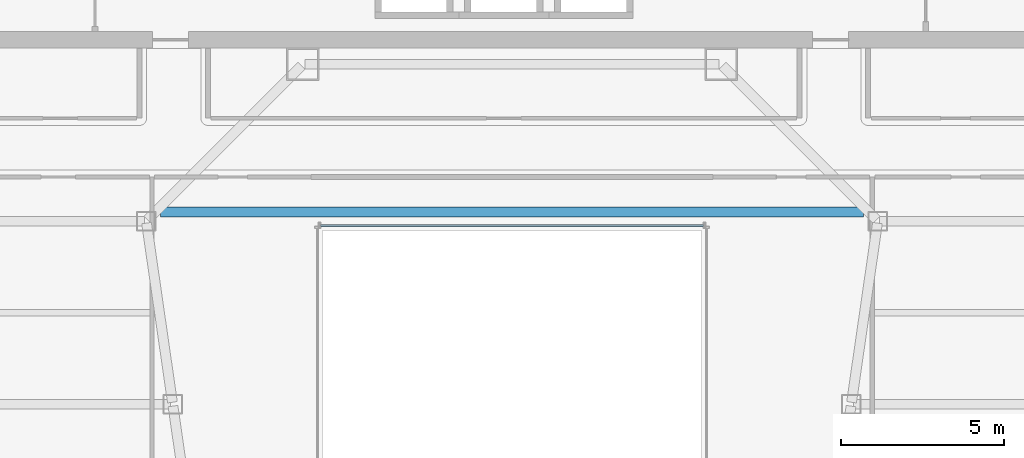
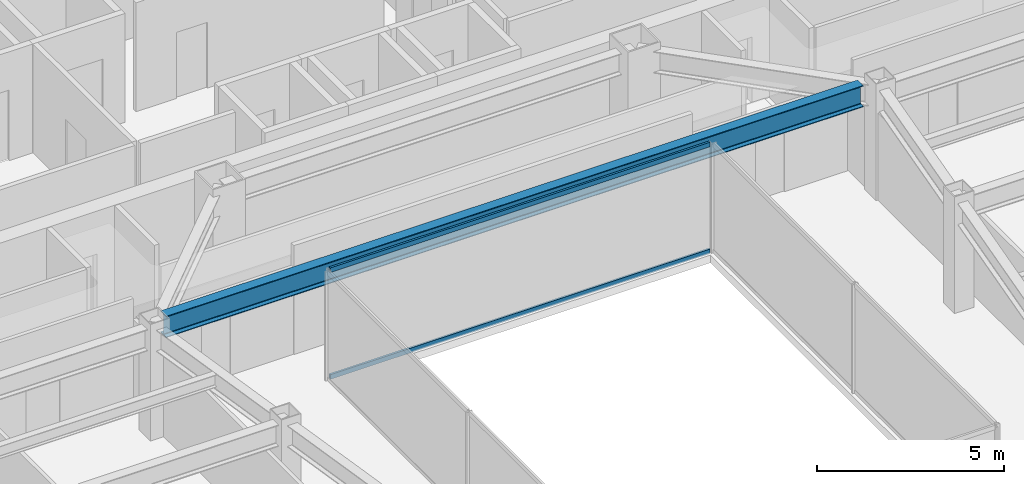
# One storey, part 15 of 40: 2 members, 1 beam, 1 element without a shape of its own.
"""IFC4 building model written with IfcOpenShell, lengths in metres."""

from ifc_helpers import new_model, si_unit, direction, frame, origin, origin_2d, place, context, subcontext, project, spatial, hollow_rectangle, i_section, extrude, material, material_profile, profile_set, type_object, element, aggregate, save


model = new_model("IFC4")

# Units and contexts
model_context = context("Model", 3, precision=1e-05, world=origin(), true_north=direction((0.0, 1.0)))
body_context = subcontext(model_context, "Body", "Model", "MODEL_VIEW")
ifc_project = project(units=[si_unit("LENGTHUNIT", "METRE"), si_unit("AREAUNIT", "SQUARE_METRE"), si_unit("VOLUMEUNIT", "CUBIC_METRE"), si_unit("PLANEANGLEUNIT", "RADIAN"), si_unit("MASSUNIT", "GRAM", prefix="KILO")], contexts=[model_context])

# Site, building, storey
site_placement = place(None, origin())
site = spatial("IfcSite", under=ifc_project, at=site_placement, CompositionType="ELEMENT")
building_placement = place(site_placement, origin())
building = spatial("IfcBuilding", under=site, at=building_placement, Name="Saevonmaru Cultural Tower", CompositionType="ELEMENT")
storey_placement = place(building_placement, frame((0.0, 0.0, 129.60009765625)))
storey = spatial("IfcBuildingStorey", under=building, at=storey_placement, Name="L27", CompositionType="ELEMENT", Elevation=129.60009765625)

# Beam
ifc_material_1 = material(Name="Steel SM355", Category="steel")
ifc_material_profile_1 = material_profile(ifc_material_1, i_section(OverallWidth=0.300048828125, OverallDepth=0.699951171875, WebThickness=0.012939453125, FlangeThickness=0.02392578125, FilletRadius=0.02587890625, at=origin_2d()), Name="H-700x300x13x24")
ifc_profile_set_1 = profile_set([ifc_material_profile_1], Name="Steel SM355")
beam_type = type_object("IfcBeamType", Name="BM-G-H700", PredefinedType="BEAM", material=ifc_profile_set_1)
beam_placement = place(storey_placement, frame((19.24560546875, 37.8798828125, 3.199951171875), z_axis=(1.0, 0.0, 0.0), x_axis=(0.0, 1.0, 0.0)))
element("IfcBeam", 1, at=beam_placement, inside=storey, type_object=beam_type, Name="L27 Central Link Girder", PredefinedType="BEAM", context=body_context, shape_type="SweptSolid", body=[
    extrude(i_section(OverallWidth=0.300048828125, OverallDepth=0.699951171875, WebThickness=0.012939453125, FlangeThickness=0.02392578125, FilletRadius=0.02587890625, at=origin_2d()), origin(), (0.0, 0.0, 1.0), 21.5087890625),
])

# Curtain wall, members
ifc_material_2 = material(Name="Satin Bronze Anodised Aluminium", Category="aluminium")
curtain_wall_type = type_object("IfcCurtainWallType", Name="CW-ATR-GLZ", PredefinedType="NOTDEFINED", material=ifc_material_2)
curtain_wall_placement = place(storey_placement, origin())
curtain_wall = element("IfcCurtainWall", 2, at=curtain_wall_placement, inside=storey, type_object=curtain_wall_type, Name="L27 Vertical Atrium Glazed Smoke Screen 3", PredefinedType="NOTDEFINED")
ifc_material_profile_2 = material_profile(ifc_material_2, hollow_rectangle(XDim=0.06494140625, YDim=0.14990234375, WallThickness=0.00390625, at=origin_2d()), Name="ALU-TRAN-150x65x4")
ifc_profile_set_2 = profile_set([ifc_material_profile_2], Name="Satin Bronze Anodised Aluminium")
member_type = type_object("IfcMemberType", Name="TR-CW-INT-150x65", PredefinedType="USERDEFINED", material=ifc_profile_set_2)
member_1_placement = place(storey_placement, frame((35.857421875, 37.469970703125, 0.032470703125), z_axis=(-1.0, 0.0, 0.0), x_axis=(0.0, -1.0, 0.0)))
member_1 = element("IfcMember", 3, at=member_1_placement, type_object=member_type, Name="CW-ATR-L27-3 transom 1.1", ObjectType="TRANSOM", PredefinedType="USERDEFINED", context=body_context, shape_type="SweptSolid", body=[
    extrude(hollow_rectangle(XDim=0.06494140625, YDim=0.14990234375, WallThickness=0.00390625, at=origin_2d()), origin(), (0.0, 0.0, 1.0), 11.71484375),
])
member_2_placement = place(storey_placement, frame((35.857421875, 37.469970703125, 3.517333984375), z_axis=(-1.0, 0.0, 0.0), x_axis=(0.0, -1.0, 0.0)))
member_2 = element("IfcMember", 4, at=member_2_placement, type_object=member_type, Name="CW-ATR-L27-3 transom 1.2", ObjectType="TRANSOM", PredefinedType="USERDEFINED", context=body_context, shape_type="SweptSolid", body=[
    extrude(hollow_rectangle(XDim=0.06494140625, YDim=0.14990234375, WallThickness=0.00390625, at=origin_2d()), origin(), (0.0, 0.0, 1.0), 11.71484375),
])
aggregate(curtain_wall, [member_1, member_2])

save(model, "model.ifc")
